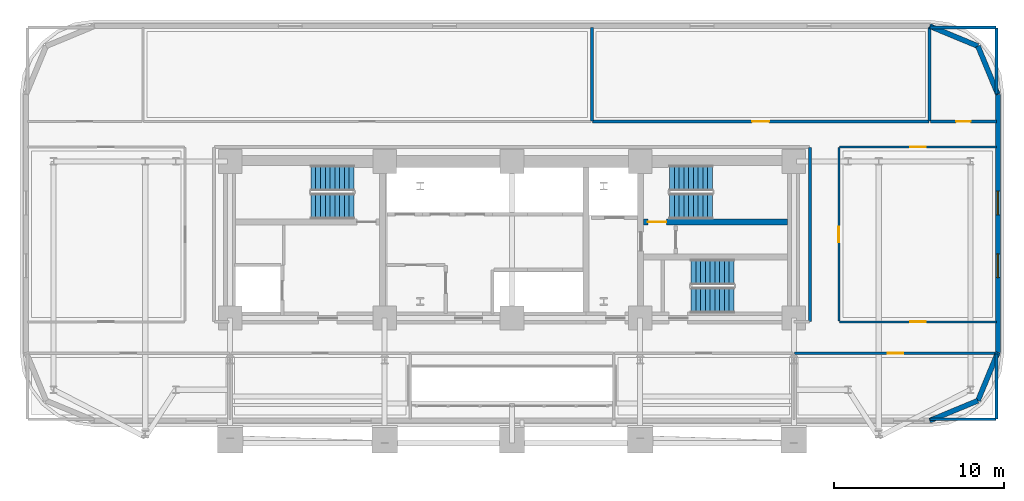
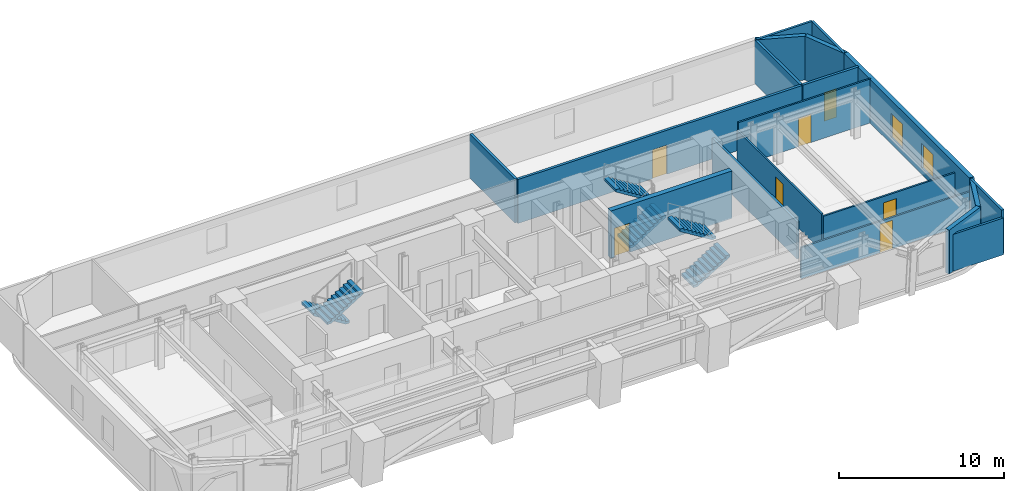
# One storey, part 10 of 14: 19 walls, 7 doors, 6 stair flights, 2 windows, 9 openings, 3 elements without a shape of their own.
"""IFC4 building model written with IfcOpenShell, lengths in metres."""

from ifc_helpers import new_model, si_unit, direction, frame, frame_2d, origin, place, context, subcontext, project, spatial, polyline, rectangle, outline, extrude, material, layer, layer_set, type_object, element, fill, aggregate, save


model = new_model("IFC4")

# Units and contexts
model_context = context("Model", 3, precision=1e-05, world=origin(), true_north=direction((0.0, 1.0)))
body_context = subcontext(model_context, "Body", "Model", "MODEL_VIEW")
ifc_project = project(units=[si_unit("LENGTHUNIT", "METRE"), si_unit("AREAUNIT", "SQUARE_METRE"), si_unit("VOLUMEUNIT", "CUBIC_METRE"), si_unit("PLANEANGLEUNIT", "RADIAN"), si_unit("MASSUNIT", "GRAM", prefix="KILO")], contexts=[model_context])

# Site, building, storey
site_placement = place(None, origin())
site = spatial("IfcSite", under=ifc_project, at=site_placement, CompositionType="ELEMENT")
building_placement = place(site_placement, origin())
building = spatial("IfcBuilding", under=site, at=building_placement, Name="Zarnavel Station Tower", CompositionType="ELEMENT")
storey_placement = place(building_placement, frame((0.0, 0.0, 60.5)))
storey = spatial("IfcBuildingStorey", under=building, at=storey_placement, Name="L16", CompositionType="ELEMENT", Elevation=60.5)

# Wall, opening, door
ifc_material_1 = material(Name="Concrete C50/60", Category="concrete")
ifc_layer_1 = layer(ifc_material_1, 0.35009765625)
ifc_layer_set_1 = layer_set([ifc_layer_1], Name="CW_350")
wall_type_1 = type_object("IfcWallType", Name="CW_350", PredefinedType="SHEAR", material=ifc_layer_set_1)
wall_1_placement = place(storey_placement, frame((45.030029296875, 33.47998046875, 0.0), z_axis=(0.0, 0.0, 1.0), x_axis=(-1.0, 0.0, 0.0)))
wall_1 = element("IfcWall", 1, at=wall_1_placement, inside=storey, type_object=wall_type_1, Name="L16 Rear Core Shear Wall DIV-H2", PredefinedType="SHEAR", context=body_context, shape_type="SweptSolid", body=[
    extrude(rectangle(XDim=8.47509765625, YDim=0.35009765625, at=frame_2d((4.237548828125, 0.0))), origin(), (0.0, 0.0, 1.0), 3.5),
])
opening_1_placement = place(wall_1_placement, frame((7.1298828125, 0.0, 0.0)))
opening_1 = element("IfcOpeningElement", 2, at=opening_1_placement, cuts=wall_1, Name="Opening FD01", PredefinedType="OPENING", context=body_context, shape_type="SweptSolid", body=[
    extrude(rectangle(XDim=1.10009765625, YDim=2.14990234375, at=frame_2d((0.550048828125, 1.074951171875))), frame((0.0, 0.18505859375, 0.0), z_axis=(0.0, -1.0, 0.0), x_axis=(1.0, 0.0, 0.0)), (0.0, 0.0, 1.0), 0.3701171875),
])
ifc_material_2 = material(Name="Painted Galvanised Steel and Hardwood Leaf", Category="steel")
door_type_1 = type_object("IfcDoorType", Name="ID_STAIR_1100", OperationType="NOTDEFINED", PredefinedType="DOOR", material=ifc_material_2)
door_1_placement = place(opening_1_placement, origin())
door_1 = element("IfcDoor", 3, at=door_1_placement, inside=storey, type_object=door_type_1, Name="L16 Stair ST2 Lobby Fire Door", OperationType="SINGLE_SWING_RIGHT", OverallHeight=2.14990234375, OverallWidth=1.10009765625, PredefinedType="DOOR", context=body_context, shape_type="SweptSolid", body=[
    extrude(rectangle(XDim=1.10009765625, YDim=2.14990234375, at=frame_2d((0.550048828125, 1.074951171875))), frame((0.0, 0.02490234375, 0.0), z_axis=(0.0, -1.0, 0.0), x_axis=(1.0, 0.0, 0.0)), (0.0, 0.0, 1.0), 0.050048828125),
])
fill(opening_1, door_1)

# Walls
ifc_material_3 = material(Name="Precast concrete C45/55 (Dark Basalt Finish)", Category="masonry")
ifc_layer_2 = layer(ifc_material_3, 0.300048828125)
ifc_layer_set_2 = layer_set([ifc_layer_2], Name="EW_BASALT_300")
wall_type_2 = type_object("IfcWallType", Name="EW_BASALT_300", PredefinedType="SOLIDWALL", material=ifc_layer_set_2)
wall_2_placement = place(storey_placement, frame((56.24267578125, 22.95751953125, 0.0), z_axis=(0.0, 0.0, 1.0), x_axis=(-0.923882414032, -0.382676475685, 0.0)))
element("IfcWall", 4, at=wall_2_placement, inside=storey, type_object=wall_type_2, Name="L16 Exterior Basalt Masonry Frame Wall 01", PredefinedType="SOLIDWALL", context=body_context, shape_type="SweptSolid", body=[
    extrude(rectangle(XDim=3.076904296875, YDim=0.300048828125, at=frame_2d((1.53857421875, 0.0))), origin(), (0.0, 0.0, 1.0), 3.239990234375),
])
wall_3_placement = place(storey_placement, frame((57.419921875, 25.800048828125, 0.0), z_axis=(0.0, 0.0, 1.0), x_axis=(-0.382636798336, -0.92389884758, 0.0)))
element("IfcWall", 5, at=wall_3_placement, inside=storey, type_object=wall_type_2, Name="L16 Exterior Basalt Masonry Frame Wall 02", PredefinedType="SOLIDWALL", context=body_context, shape_type="SweptSolid", body=[
    extrude(rectangle(XDim=3.07666015625, YDim=0.300048828125, at=frame_2d((1.538330078125, 0.0))), origin(), (0.0, 0.0, 1.0), 3.239990234375),
])

# Wall, openings, windows
wall_4_placement = place(storey_placement, frame((57.419921875, 41.0, 0.0), z_axis=(0.0, 0.0, 1.0), x_axis=(0.0, -1.0, 0.0)))
wall_4 = element("IfcWall", 6, at=wall_4_placement, inside=storey, type_object=wall_type_2, Name="L16 Exterior Basalt Masonry Frame Wall 03", PredefinedType="SOLIDWALL", context=body_context, shape_type="SweptSolid", body=[
    extrude(rectangle(XDim=15.199951171875, YDim=0.300048828125, at=frame_2d((7.60009765625, 0.0))), origin(), (0.0, 0.0, 1.0), 3.239990234375),
])
opening_2_placement = place(wall_4_placement, frame((5.699951171875, 0.0, 0.47998046875)))
opening_2 = element("IfcOpeningElement", 7, at=opening_2_placement, cuts=wall_4, Name="Opening WN01", PredefinedType="OPENING", context=body_context, shape_type="SweptSolid", body=[
    extrude(rectangle(XDim=1.39990234375, YDim=1.800048828125, at=frame_2d((0.699951171875, 0.89990234375))), frame((0.0, 0.159912109375, 0.0), z_axis=(0.0, -1.0, 0.0), x_axis=(1.0, 0.0, 0.0)), (0.0, 0.0, 1.0), 0.320068359375),
])
opening_3_placement = place(wall_4_placement, frame((9.39990234375, 0.0, 0.47998046875)))
opening_3 = element("IfcOpeningElement", 8, at=opening_3_placement, cuts=wall_4, Name="Opening WN01", PredefinedType="OPENING", context=body_context, shape_type="SweptSolid", body=[
    extrude(rectangle(XDim=1.39990234375, YDim=1.800048828125, at=frame_2d((0.699951171875, 0.89990234375))), frame((0.0, 0.159912109375, 0.0), z_axis=(0.0, -1.0, 0.0), x_axis=(1.0, 0.0, 0.0)), (0.0, 0.0, 1.0), 0.320068359375),
])
ifc_material_4 = material(Name="Thermally Broken Black Aluminium and Low-E Dark Glass", Category="aluminium")
window_type = type_object("IfcWindowType", Name="WN_1400x1800", PartitioningType="DOUBLE_PANEL_VERTICAL", PredefinedType="WINDOW", material=ifc_material_4)
window_1_placement = place(opening_2_placement, origin())
window_1 = element("IfcWindow", 9, at=window_1_placement, inside=storey, type_object=window_type, Name="L16 Recessed Facade Window 01", OverallHeight=1.800048828125, OverallWidth=1.39990234375, PartitioningType="SINGLE_PANEL", PredefinedType="WINDOW", context=body_context, shape_type="SweptSolid", body=[
    extrude(rectangle(XDim=1.39990234375, YDim=1.800048828125, at=frame_2d((0.699951171875, 0.89990234375))), frame((0.0, 0.030029296875, 0.0), z_axis=(0.0, -1.0, 0.0), x_axis=(1.0, 0.0, 0.0)), (0.0, 0.0, 1.0), 0.06005859375),
])
fill(opening_2, window_1)
window_2_placement = place(opening_3_placement, origin())
window_2 = element("IfcWindow", 10, at=window_2_placement, inside=storey, type_object=window_type, Name="L16 Recessed Facade Window 02", OverallHeight=1.800048828125, OverallWidth=1.39990234375, PartitioningType="SINGLE_PANEL", PredefinedType="WINDOW", context=body_context, shape_type="SweptSolid", body=[
    extrude(rectangle(XDim=1.39990234375, YDim=1.800048828125, at=frame_2d((0.699951171875, 0.89990234375))), frame((0.0, 0.030029296875, 0.0), z_axis=(0.0, -1.0, 0.0), x_axis=(1.0, 0.0, 0.0)), (0.0, 0.0, 1.0), 0.06005859375),
])
fill(opening_3, window_2)

# Walls
wall_5_placement = place(storey_placement, frame((56.24267578125, 43.842529296875, 0.0), z_axis=(0.0, 0.0, 1.0), x_axis=(0.382636798336, -0.92389884758, 0.0)))
element("IfcWall", 11, at=wall_5_placement, inside=storey, type_object=wall_type_2, Name="L16 Exterior Basalt Masonry Frame Wall 04", PredefinedType="SOLIDWALL", context=body_context, shape_type="SweptSolid", body=[
    extrude(rectangle(XDim=3.07666015625, YDim=0.300048828125, at=frame_2d((1.538330078125, 0.0))), origin(), (0.0, 0.0, 1.0), 3.239990234375),
])
wall_6_placement = place(storey_placement, frame((53.39990234375, 45.02001953125, 0.0), z_axis=(0.0, 0.0, 1.0), x_axis=(0.923882414032, -0.382676475685, 0.0)))
element("IfcWall", 12, at=wall_6_placement, inside=storey, type_object=wall_type_2, Name="L16 Exterior Basalt Masonry Frame Wall 05", PredefinedType="SOLIDWALL", context=body_context, shape_type="SweptSolid", body=[
    extrude(rectangle(XDim=3.076904296875, YDim=0.300048828125, at=frame_2d((1.53857421875, 0.0))), origin(), (0.0, 0.0, 1.0), 3.239990234375),
])
ifc_material_5 = material(Name="Gypsum Twin-Stud Acoustic Fire Partition", Category="concrete")
ifc_layer_3 = layer(ifc_material_5, 0.159912109375)
ifc_layer_set_3 = layer_set([ifc_layer_3], Name="PT_DEMISE_160")
wall_type_3 = type_object("IfcWallType", Name="PT_DEMISE_160", PredefinedType="PARTITIONING", material=ifc_layer_set_3)
wall_7_placement = place(storey_placement, frame((46.35009765625, 27.6298828125, 0.0), z_axis=(0.0, 0.0, 1.0), x_axis=(0.0, 1.0, 0.0)))
element("IfcWall", 13, at=wall_7_placement, inside=storey, type_object=wall_type_3, Name="L16 Enclosure Wall COR-E", PredefinedType="PARTITIONING", context=body_context, shape_type="SweptSolid", body=[
    extrude(rectangle(XDim=10.240234375, YDim=0.159912109375, at=frame_2d((5.1201171875, 0.0))), origin(), (0.0, 0.0, 1.0), 2.719970703125),
])
wall_8_placement = place(storey_placement, frame((53.429931640625, 44.93994140625, 0.0), z_axis=(0.0, 0.0, 1.0), x_axis=(1.0, 0.0, 0.0)))
element("IfcWall", 14, at=wall_8_placement, inside=storey, type_object=wall_type_3, Name="L16 Enclosure Wall NL4W", PredefinedType="PARTITIONING", context=body_context, shape_type="SweptSolid", body=[
    extrude(rectangle(XDim=3.880126953125, YDim=0.159912109375, at=frame_2d((1.93994140625, 0.0))), origin(), (0.0, 0.0, 1.0), 3.239990234375),
])
wall_9_placement = place(storey_placement, frame((57.340087890625, 41.030029296875, 0.0), z_axis=(0.0, 0.0, 1.0), x_axis=(0.0, 1.0, 0.0)))
element("IfcWall", 15, at=wall_9_placement, inside=storey, type_object=wall_type_3, Name="L16 Enclosure Wall NL4W", PredefinedType="PARTITIONING", context=body_context, shape_type="SweptSolid", body=[
    extrude(rectangle(XDim=3.8798828125, YDim=0.159912109375, at=frame_2d((1.93994140625, 0.0))), origin(), (0.0, 0.0, 1.0), 3.239990234375),
])
wall_10_placement = place(storey_placement, frame((53.429931640625, 21.860107421875, 0.0), z_axis=(0.0, 0.0, 1.0), x_axis=(1.0, 0.0, 0.0)))
element("IfcWall", 16, at=wall_10_placement, inside=storey, type_object=wall_type_3, Name="L16 Enclosure Wall Z1TEA", PredefinedType="PARTITIONING", context=body_context, shape_type="SweptSolid", body=[
    extrude(rectangle(XDim=3.880126953125, YDim=0.159912109375, at=frame_2d((1.93994140625, 0.0))), origin(), (0.0, 0.0, 1.0), 2.719970703125),
])
wall_11_placement = place(storey_placement, frame((57.340087890625, 21.889892578125, 0.0), z_axis=(0.0, 0.0, 1.0), x_axis=(0.0, 1.0, 0.0)))
element("IfcWall", 17, at=wall_11_placement, inside=storey, type_object=wall_type_3, Name="L16 Enclosure Wall Z1TEA", PredefinedType="PARTITIONING", context=body_context, shape_type="SweptSolid", body=[
    extrude(rectangle(XDim=3.830078125, YDim=0.159912109375, at=frame_2d((1.9150390625, 0.0))), origin(), (0.0, 0.0, 1.0), 3.239990234375),
])

# Wall, opening, door
ifc_material_6 = material(Name="Gypsum Metal-Stud Interior Partition", Category="concrete")
ifc_layer_4 = layer(ifc_material_6, 0.1201171875)
ifc_layer_set_4 = layer_set([ifc_layer_4], Name="PT_ROOM_120")
wall_type_4 = type_object("IfcWallType", Name="PT_ROOM_120", PredefinedType="PARTITIONING", material=ifc_layer_set_4)
wall_12_placement = place(storey_placement, frame((48.090087890625, 27.60009765625, 0.0), z_axis=(0.0, 0.0, 1.0), x_axis=(1.0, 0.0, 0.0)))
wall_12 = element("IfcWall", 18, at=wall_12_placement, inside=storey, type_object=wall_type_4, Name="L16 Partition COR-S-FNE4", PredefinedType="PARTITIONING", context=body_context, shape_type="SweptSolid", body=[
    extrude(rectangle(XDim=9.25, YDim=0.1201171875, at=frame_2d((4.625, 0.0))), origin(), (0.0, 0.0, 1.0), 2.570068359375),
])
opening_4_placement = place(wall_12_placement, frame((4.175048828125, 0.0, 0.0)))
opening_4 = element("IfcOpeningElement", 19, at=opening_4_placement, cuts=wall_12, Name="Opening ID01", PredefinedType="OPENING", context=body_context, shape_type="SweptSolid", body=[
    extrude(rectangle(XDim=0.89990234375, YDim=2.10009765625, at=frame_2d((0.449951171875, 1.050048828125))), frame((0.0, 0.070068359375, 0.0), z_axis=(0.0, -1.0, 0.0), x_axis=(1.0, 0.0, 0.0)), (0.0, 0.0, 1.0), 0.14013671875),
])
ifc_material_7 = material(Name="Painted Galvanised Steel and Hardwood Leaf", Category="steel")
door_type_2 = type_object("IfcDoorType", Name="ID_ROOM_900", OperationType="NOTDEFINED", PredefinedType="DOOR", material=ifc_material_7)
door_2_placement = place(opening_4_placement, origin())
door_2 = element("IfcDoor", 20, at=door_2_placement, inside=storey, type_object=door_type_2, Name="L16 Door COR-S-FNE4", OperationType="SINGLE_SWING_RIGHT", OverallHeight=2.10009765625, OverallWidth=0.89990234375, PredefinedType="DOOR", context=body_context, shape_type="SweptSolid", body=[
    extrude(rectangle(XDim=0.89990234375, YDim=2.10009765625, at=frame_2d((0.449951171875, 1.050048828125))), frame((0.0, 0.02490234375, 0.0), z_axis=(0.0, -1.0, 0.0), x_axis=(1.0, 0.0, 0.0)), (0.0, 0.0, 1.0), 0.050048828125),
])
fill(opening_4, door_2)

wall_13_placement = place(storey_placement, frame((45.43994140625, 25.75, 0.0), z_axis=(0.0, 0.0, 1.0), x_axis=(1.0, 0.0, 0.0)))
wall_13 = element("IfcWall", 21, at=wall_13_placement, inside=storey, type_object=wall_type_4, Name="L16 Partition COR-S-Z1TEA", PredefinedType="PARTITIONING", context=body_context, shape_type="SweptSolid", body=[
    extrude(rectangle(XDim=11.900146484375, YDim=0.1201171875, at=frame_2d((5.9501953125, 0.0))), origin(), (0.0, 0.0, 1.0), 2.31005859375),
])
opening_5_placement = place(wall_13_placement, frame((5.5, 0.0, 0.0)))
opening_5 = element("IfcOpeningElement", 22, at=opening_5_placement, cuts=wall_13, Name="Opening ID01", PredefinedType="OPENING", context=body_context, shape_type="SweptSolid", body=[
    extrude(rectangle(XDim=0.89990234375, YDim=2.10009765625, at=frame_2d((0.449951171875, 1.050048828125))), frame((0.0, 0.070068359375, 0.0), z_axis=(0.0, -1.0, 0.0), x_axis=(1.0, 0.0, 0.0)), (0.0, 0.0, 1.0), 0.14013671875),
])
door_3_placement = place(opening_5_placement, origin())
door_3 = element("IfcDoor", 23, at=door_3_placement, inside=storey, type_object=door_type_2, Name="L16 Door COR-S-Z1TEA", OperationType="SINGLE_SWING_RIGHT", OverallHeight=2.10009765625, OverallWidth=0.89990234375, PredefinedType="DOOR", context=body_context, shape_type="SweptSolid", body=[
    extrude(rectangle(XDim=0.89990234375, YDim=2.10009765625, at=frame_2d((0.449951171875, 1.050048828125))), frame((0.0, 0.02490234375, 0.0), z_axis=(0.0, -1.0, 0.0), x_axis=(1.0, 0.0, 0.0)), (0.0, 0.0, 1.0), 0.050048828125),
])
fill(opening_5, door_3)

wall_14_placement = place(storey_placement, frame((48.050048828125, 27.639892578125, 0.0), z_axis=(0.0, 0.0, 1.0), x_axis=(0.0, 1.0, 0.0)))
wall_14 = element("IfcWall", 24, at=wall_14_placement, inside=storey, type_object=wall_type_4, Name="L16 Partition COR-E-FNE4", PredefinedType="PARTITIONING", context=body_context, shape_type="SweptSolid", body=[
    extrude(rectangle(XDim=10.22021484375, YDim=0.1201171875, at=frame_2d((5.110107421875, 0.0))), origin(), (0.0, 0.0, 1.0), 2.719970703125),
])
opening_6_placement = place(wall_14_placement, frame((4.659912109375, 0.0, 0.0)))
opening_6 = element("IfcOpeningElement", 25, at=opening_6_placement, cuts=wall_14, Name="Opening ID01", PredefinedType="OPENING", context=body_context, shape_type="SweptSolid", body=[
    extrude(rectangle(XDim=0.89990234375, YDim=2.10009765625, at=frame_2d((0.449951171875, 1.050048828125))), frame((0.0, 0.070068359375, 0.0), z_axis=(0.0, -1.0, 0.0), x_axis=(1.0, 0.0, 0.0)), (0.0, 0.0, 1.0), 0.14013671875),
])
door_4_placement = place(opening_6_placement, origin())
door_4 = element("IfcDoor", 26, at=door_4_placement, inside=storey, type_object=door_type_2, Name="L16 Door COR-E-FNE4", OperationType="SINGLE_SWING_RIGHT", OverallHeight=2.10009765625, OverallWidth=0.89990234375, PredefinedType="DOOR", context=body_context, shape_type="SweptSolid", body=[
    extrude(rectangle(XDim=0.89990234375, YDim=2.10009765625, at=frame_2d((0.449951171875, 1.050048828125))), frame((0.0, 0.02490234375, 0.0), z_axis=(0.0, -1.0, 0.0), x_axis=(1.0, 0.0, 0.0)), (0.0, 0.0, 1.0), 0.050048828125),
])
fill(opening_6, door_4)

wall_15_placement = place(storey_placement, frame((48.090087890625, 37.89990234375, 0.0), z_axis=(0.0, 0.0, 1.0), x_axis=(1.0, 0.0, 0.0)))
wall_15 = element("IfcWall", 27, at=wall_15_placement, inside=storey, type_object=wall_type_4, Name="L16 Partition COR-N-FNE4", PredefinedType="PARTITIONING", context=body_context, shape_type="SweptSolid", body=[
    extrude(rectangle(XDim=9.25, YDim=0.1201171875, at=frame_2d((4.625, 0.0))), origin(), (0.0, 0.0, 1.0), 3.239990234375),
])
opening_7_placement = place(wall_15_placement, frame((4.175048828125, 0.0, 0.0)))
opening_7 = element("IfcOpeningElement", 28, at=opening_7_placement, cuts=wall_15, Name="Opening ID01", PredefinedType="OPENING", context=body_context, shape_type="SweptSolid", body=[
    extrude(rectangle(XDim=0.89990234375, YDim=2.10009765625, at=frame_2d((0.449951171875, 1.050048828125))), frame((0.0, 0.070068359375, 0.0), z_axis=(0.0, -1.0, 0.0), x_axis=(1.0, 0.0, 0.0)), (0.0, 0.0, 1.0), 0.14013671875),
])
door_5_placement = place(opening_7_placement, origin())
door_5 = element("IfcDoor", 29, at=door_5_placement, inside=storey, type_object=door_type_2, Name="L16 Door COR-N-FNE4", OperationType="SINGLE_SWING_RIGHT", OverallHeight=2.10009765625, OverallWidth=0.89990234375, PredefinedType="DOOR", context=body_context, shape_type="SweptSolid", body=[
    extrude(rectangle(XDim=0.89990234375, YDim=2.10009765625, at=frame_2d((0.449951171875, 1.050048828125))), frame((0.0, 0.02490234375, 0.0), z_axis=(0.0, -1.0, 0.0), x_axis=(1.0, 0.0, 0.0)), (0.0, 0.0, 1.0), 0.050048828125),
])
fill(opening_7, door_5)

ifc_material_8 = material(Name="Moisture-Resistant Plumbing Chase Wall", Category="concrete")
ifc_layer_5 = layer(ifc_material_8, 0.179931640625)
ifc_layer_set_5 = layer_set([ifc_layer_5], Name="PW_PLUMB_180")
wall_type_5 = type_object("IfcWallType", Name="PW_PLUMB_180", PredefinedType="PLUMBINGWALL", material=ifc_layer_set_5)
wall_16_placement = place(storey_placement, frame((33.5400390625, 39.39990234375, 0.0), z_axis=(0.0, 0.0, 1.0), x_axis=(1.0, 0.0, 0.0)))
wall_16 = element("IfcWall", 30, at=wall_16_placement, inside=storey, type_object=wall_type_5, Name="L16 Partition COR-N-NL4B", PredefinedType="PLUMBINGWALL", context=body_context, shape_type="SweptSolid", body=[
    extrude(rectangle(XDim=19.820068359375, YDim=0.179931640625, at=frame_2d((9.91015625, 0.0))), origin(), (0.0, 0.0, 1.0), 3.239990234375),
])
opening_8_placement = place(wall_16_placement, frame((9.409912109375, 0.0, 0.0)))
opening_8 = element("IfcOpeningElement", 31, at=opening_8_placement, cuts=wall_16, Name="Opening FD02", PredefinedType="OPENING", context=body_context, shape_type="SweptSolid", body=[
    extrude(rectangle(XDim=1.0, YDim=2.14990234375, at=frame_2d((0.5, 1.074951171875))), frame((0.0, 0.099853515625, 0.0), z_axis=(0.0, -1.0, 0.0), x_axis=(1.0, 0.0, 0.0)), (0.0, 0.0, 1.0), 0.199951171875),
])
ifc_material_9 = material(Name="Painted Galvanised Steel and Hardwood Leaf", Category="steel")
door_type_3 = type_object("IfcDoorType", Name="ID_ENTRY_1000", OperationType="NOTDEFINED", PredefinedType="DOOR", material=ifc_material_9)
door_6_placement = place(opening_8_placement, origin())
door_6 = element("IfcDoor", 32, at=door_6_placement, inside=storey, type_object=door_type_3, Name="L16 Door COR-N-NL4B", OperationType="SINGLE_SWING_LEFT", OverallHeight=2.14990234375, OverallWidth=1.0, PredefinedType="DOOR", context=body_context, shape_type="SweptSolid", body=[
    extrude(rectangle(XDim=1.0, YDim=2.14990234375, at=frame_2d((0.5, 1.074951171875))), frame((0.0, 0.02490234375, 0.0), z_axis=(0.0, -1.0, 0.0), x_axis=(1.0, 0.0, 0.0)), (0.0, 0.0, 1.0), 0.050048828125),
])
fill(opening_8, door_6)

wall_17_placement = place(storey_placement, frame((53.43994140625, 39.39990234375, 0.0), z_axis=(0.0, 0.0, 1.0), x_axis=(1.0, 0.0, 0.0)))
wall_17 = element("IfcWall", 33, at=wall_17_placement, inside=storey, type_object=wall_type_5, Name="L16 Partition COR-N-NL4W", PredefinedType="PLUMBINGWALL", context=body_context, shape_type="SweptSolid", body=[
    extrude(rectangle(XDim=3.900146484375, YDim=0.179931640625, at=frame_2d((1.9501953125, 0.0))), origin(), (0.0, 0.0, 1.0), 3.239990234375),
])
opening_9_placement = place(wall_17_placement, frame((1.52490234375, 0.0, 0.0)))
opening_9 = element("IfcOpeningElement", 34, at=opening_9_placement, cuts=wall_17, Name="Opening ID02", PredefinedType="OPENING", context=body_context, shape_type="SweptSolid", body=[
    extrude(rectangle(XDim=0.85009765625, YDim=2.10009765625, at=frame_2d((0.425048828125, 1.050048828125))), frame((0.0, 0.099853515625, 0.0), z_axis=(0.0, -1.0, 0.0), x_axis=(1.0, 0.0, 0.0)), (0.0, 0.0, 1.0), 0.199951171875),
])
ifc_material_10 = material(Name="Painted Galvanised Steel and Hardwood Leaf", Category="steel")
door_type_4 = type_object("IfcDoorType", Name="ID_BATH_850", OperationType="NOTDEFINED", PredefinedType="DOOR", material=ifc_material_10)
door_7_placement = place(opening_9_placement, origin())
door_7 = element("IfcDoor", 35, at=door_7_placement, inside=storey, type_object=door_type_4, Name="L16 Door COR-N-NL4W", OperationType="SINGLE_SWING_RIGHT", OverallHeight=2.10009765625, OverallWidth=0.85009765625, PredefinedType="DOOR", context=body_context, shape_type="SweptSolid", body=[
    extrude(rectangle(XDim=0.85009765625, YDim=2.10009765625, at=frame_2d((0.425048828125, 1.050048828125))), frame((0.0, 0.02490234375, 0.0), z_axis=(0.0, -1.0, 0.0), x_axis=(1.0, 0.0, 0.0)), (0.0, 0.0, 1.0), 0.050048828125),
])
fill(opening_9, door_7)

# Walls
for number, where, z_axis, x_axis, name in (
    (36, (33.5, 39.43994140625, 0.0), (0.0, 0.0, 1.0), (0.0, 1.0, 0.0), "L16 Partition NL4A-NL4B"),
    (37, (53.39990234375, 39.43994140625, 0.0), (0.0, 0.0, 1.0), (0.0, 1.0, 0.0), "L16 Partition NL4B-NL4W"),
):
    element("IfcWall", number, at=place(storey_placement, frame(where, z_axis=z_axis, x_axis=x_axis)), inside=storey, type_object=wall_type_5, Name=name, PredefinedType="PLUMBINGWALL", context=body_context, shape_type="SweptSolid", body=[
        extrude(rectangle(XDim=5.5, YDim=0.179931640625, at=frame_2d((2.75, 0.0))), origin(), (0.0, 0.0, 1.0), 3.239990234375),
    ])

# Stair, stair flights
ifc_material_11 = material(Name="Concrete C45/55", Category="concrete")
stair_type = type_object("IfcStairType", Name="ST_CORE_150", PredefinedType="HALF_TURN_STAIR", material=ifc_material_11)
stair_1_placement = place(storey_placement, origin())
stair_1 = element("IfcStair", 38, at=stair_1_placement, inside=storey, type_object=stair_type, Name="L16 Core Exit Stair ST1", PredefinedType="HALF_TURN_STAIR")
ifc_material_12 = material(Name="Concrete C45/55", Category="concrete")
ifc_layer_6 = layer(ifc_material_12, 0.179931640625)
ifc_layer_set_6 = layer_set([ifc_layer_6], Name="ST_CORE_150_FLT")
stair_flight_type = type_object("IfcStairFlightType", Name="ST_CORE_150_FLT", PredefinedType="STRAIGHT", material=ifc_layer_set_6)
stair_flight_1_placement = place(storey_placement, frame((19.47998046875, 36.070068359375, 0.0), z_axis=(0.0, 0.0, 1.0), x_axis=(-1.0, 0.0, 0.0)))
stair_flight_1 = element("IfcStairFlight", 39, at=stair_flight_1_placement, type_object=stair_flight_type, Name="ST1 flight 1", NumberOfRisers=10, NumberOfTreads=9, PredefinedType="STRAIGHT", RiserHeight=0.175, TreadLength=0.28, context=body_context, shape_type="SweptSolid", body=[
    extrude(outline(polyline([(0.0, 0.0), (0.0, 0.175048828125), (0.280029296875, 0.175048828125), (0.280029296875, 0.35009765625), (0.56005859375, 0.35009765625), (0.56005859375, 0.52490234375), (0.840087890625, 0.52490234375), (0.840087890625, 0.699951171875), (1.1201171875, 0.699951171875), (1.1201171875, 0.875), (1.39990234375, 0.875), (1.39990234375, 1.050048828125), (1.679931640625, 1.050048828125), (1.679931640625, 1.22509765625), (1.9599609375, 1.22509765625), (1.9599609375, 1.39990234375), (2.239990234375, 1.39990234375), (2.239990234375, 1.574951171875), (2.52001953125, 1.574951171875), (2.52001953125, 1.75), (2.52001953125, 1.398193359375), (0.28271484375, 0.0), (0.0, 0.0)])), frame((0.0, 0.75, 0.0), z_axis=(0.0, -1.0, 0.0), x_axis=(1.0, 0.0, 0.0)), (0.0, 0.0, 1.0), 1.5),
])
stair_flight_2_placement = place(storey_placement, frame((16.9599609375, 34.409912109375, 1.75), z_axis=(0.0, 0.0, 1.0), x_axis=(1.0, 0.0, 0.0)))
stair_flight_2 = element("IfcStairFlight", 40, at=stair_flight_2_placement, type_object=stair_flight_type, Name="ST1 flight 2", NumberOfRisers=10, NumberOfTreads=9, PredefinedType="STRAIGHT", RiserHeight=0.175, TreadLength=0.28, context=body_context, shape_type="SweptSolid", body=[
    extrude(outline(polyline([(0.0, 0.0), (0.0, 0.175048828125), (0.280029296875, 0.175048828125), (0.280029296875, 0.35009765625), (0.56005859375, 0.35009765625), (0.56005859375, 0.52490234375), (0.840087890625, 0.52490234375), (0.840087890625, 0.699951171875), (1.1201171875, 0.699951171875), (1.1201171875, 0.875), (1.39990234375, 0.875), (1.39990234375, 1.050048828125), (1.679931640625, 1.050048828125), (1.679931640625, 1.22509765625), (1.9599609375, 1.22509765625), (1.9599609375, 1.39990234375), (2.239990234375, 1.39990234375), (2.239990234375, 1.574951171875), (2.52001953125, 1.574951171875), (2.52001953125, 1.75), (2.52001953125, 1.398193359375), (0.28271484375, 0.0), (0.0, 0.0)])), frame((0.0, 0.75, 0.0), z_axis=(0.0, -1.0, 0.0), x_axis=(1.0, 0.0, 0.0)), (0.0, 0.0, 1.0), 1.5),
])
aggregate(stair_1, [stair_flight_1, stair_flight_2])

stair_2_placement = place(storey_placement, origin())
stair_2 = element("IfcStair", 41, at=stair_2_placement, inside=storey, type_object=stair_type, Name="L16 Core Exit Stair ST2", PredefinedType="HALF_TURN_STAIR")
stair_flight_3_placement = place(storey_placement, frame((38.080078125, 34.409912109375, 0.0), z_axis=(0.0, 0.0, 1.0), x_axis=(1.0, 0.0, 0.0)))
stair_flight_3 = element("IfcStairFlight", 42, at=stair_flight_3_placement, type_object=stair_flight_type, Name="ST2 flight 1", NumberOfRisers=10, NumberOfTreads=9, PredefinedType="STRAIGHT", RiserHeight=0.175, TreadLength=0.28, context=body_context, shape_type="SweptSolid", body=[
    extrude(outline(polyline([(0.0, 0.0), (0.0, 0.175048828125), (0.280029296875, 0.175048828125), (0.280029296875, 0.35009765625), (0.56005859375, 0.35009765625), (0.56005859375, 0.52490234375), (0.840087890625, 0.52490234375), (0.840087890625, 0.699951171875), (1.1201171875, 0.699951171875), (1.1201171875, 0.875), (1.39990234375, 0.875), (1.39990234375, 1.050048828125), (1.679931640625, 1.050048828125), (1.679931640625, 1.22509765625), (1.9599609375, 1.22509765625), (1.9599609375, 1.39990234375), (2.239990234375, 1.39990234375), (2.239990234375, 1.574951171875), (2.52001953125, 1.574951171875), (2.52001953125, 1.75), (2.52001953125, 1.398193359375), (0.28271484375, 0.0), (0.0, 0.0)])), frame((0.0, 0.75, 0.0), z_axis=(0.0, -1.0, 0.0), x_axis=(1.0, 0.0, 0.0)), (0.0, 0.0, 1.0), 1.5),
])
stair_flight_4_placement = place(storey_placement, frame((40.60009765625, 36.070068359375, 1.75), z_axis=(0.0, 0.0, 1.0), x_axis=(-1.0, 0.0, 0.0)))
stair_flight_4 = element("IfcStairFlight", 43, at=stair_flight_4_placement, type_object=stair_flight_type, Name="ST2 flight 2", NumberOfRisers=10, NumberOfTreads=9, PredefinedType="STRAIGHT", RiserHeight=0.175, TreadLength=0.28, context=body_context, shape_type="SweptSolid", body=[
    extrude(outline(polyline([(0.0, 0.0), (0.0, 0.175048828125), (0.280029296875, 0.175048828125), (0.280029296875, 0.35009765625), (0.56005859375, 0.35009765625), (0.56005859375, 0.52490234375), (0.840087890625, 0.52490234375), (0.840087890625, 0.699951171875), (1.1201171875, 0.699951171875), (1.1201171875, 0.875), (1.39990234375, 0.875), (1.39990234375, 1.050048828125), (1.679931640625, 1.050048828125), (1.679931640625, 1.22509765625), (1.9599609375, 1.22509765625), (1.9599609375, 1.39990234375), (2.239990234375, 1.39990234375), (2.239990234375, 1.574951171875), (2.52001953125, 1.574951171875), (2.52001953125, 1.75), (2.52001953125, 1.398193359375), (0.28271484375, 0.0), (0.0, 0.0)])), frame((0.0, 0.75, 0.0), z_axis=(0.0, -1.0, 0.0), x_axis=(1.0, 0.0, 0.0)), (0.0, 0.0, 1.0), 1.5),
])
aggregate(stair_2, [stair_flight_3, stair_flight_4])

stair_3_placement = place(storey_placement, origin())
stair_3 = element("IfcStair", 44, at=stair_3_placement, inside=storey, type_object=stair_type, Name="L16 Core Exit Stair ST3", PredefinedType="HALF_TURN_STAIR")
stair_flight_5_placement = place(storey_placement, frame((39.35009765625, 28.8701171875, 0.0), z_axis=(0.0, 0.0, 1.0), x_axis=(1.0, 0.0, 0.0)))
stair_flight_5 = element("IfcStairFlight", 45, at=stair_flight_5_placement, type_object=stair_flight_type, Name="ST3 flight 1", NumberOfRisers=10, NumberOfTreads=9, PredefinedType="STRAIGHT", RiserHeight=0.175, TreadLength=0.28, context=body_context, shape_type="SweptSolid", body=[
    extrude(outline(polyline([(0.0, 0.0), (0.0, 0.175048828125), (0.280029296875, 0.175048828125), (0.280029296875, 0.35009765625), (0.56005859375, 0.35009765625), (0.56005859375, 0.52490234375), (0.840087890625, 0.52490234375), (0.840087890625, 0.699951171875), (1.1201171875, 0.699951171875), (1.1201171875, 0.875), (1.39990234375, 0.875), (1.39990234375, 1.050048828125), (1.679931640625, 1.050048828125), (1.679931640625, 1.22509765625), (1.9599609375, 1.22509765625), (1.9599609375, 1.39990234375), (2.239990234375, 1.39990234375), (2.239990234375, 1.574951171875), (2.52001953125, 1.574951171875), (2.52001953125, 1.75), (2.52001953125, 1.398193359375), (0.28271484375, 0.0), (0.0, 0.0)])), frame((0.0, 0.75, 0.0), z_axis=(0.0, -1.0, 0.0), x_axis=(1.0, 0.0, 0.0)), (0.0, 0.0, 1.0), 1.5),
])
stair_flight_6_placement = place(storey_placement, frame((41.8701171875, 30.530029296875, 1.75), z_axis=(0.0, 0.0, 1.0), x_axis=(-1.0, 0.0, 0.0)))
stair_flight_6 = element("IfcStairFlight", 46, at=stair_flight_6_placement, type_object=stair_flight_type, Name="ST3 flight 2", NumberOfRisers=10, NumberOfTreads=9, PredefinedType="STRAIGHT", RiserHeight=0.175, TreadLength=0.28, context=body_context, shape_type="SweptSolid", body=[
    extrude(outline(polyline([(0.0, 0.0), (0.0, 0.175048828125), (0.280029296875, 0.175048828125), (0.280029296875, 0.35009765625), (0.56005859375, 0.35009765625), (0.56005859375, 0.52490234375), (0.840087890625, 0.52490234375), (0.840087890625, 0.699951171875), (1.1201171875, 0.699951171875), (1.1201171875, 0.875), (1.39990234375, 0.875), (1.39990234375, 1.050048828125), (1.679931640625, 1.050048828125), (1.679931640625, 1.22509765625), (1.9599609375, 1.22509765625), (1.9599609375, 1.39990234375), (2.239990234375, 1.39990234375), (2.239990234375, 1.574951171875), (2.52001953125, 1.574951171875), (2.52001953125, 1.75), (2.52001953125, 1.398193359375), (0.28271484375, 0.0), (0.0, 0.0)])), frame((0.0, 0.75, 0.0), z_axis=(0.0, -1.0, 0.0), x_axis=(1.0, 0.0, 0.0)), (0.0, 0.0, 1.0), 1.5),
])
aggregate(stair_3, [stair_flight_5, stair_flight_6])

save(model, "model.ifc")
